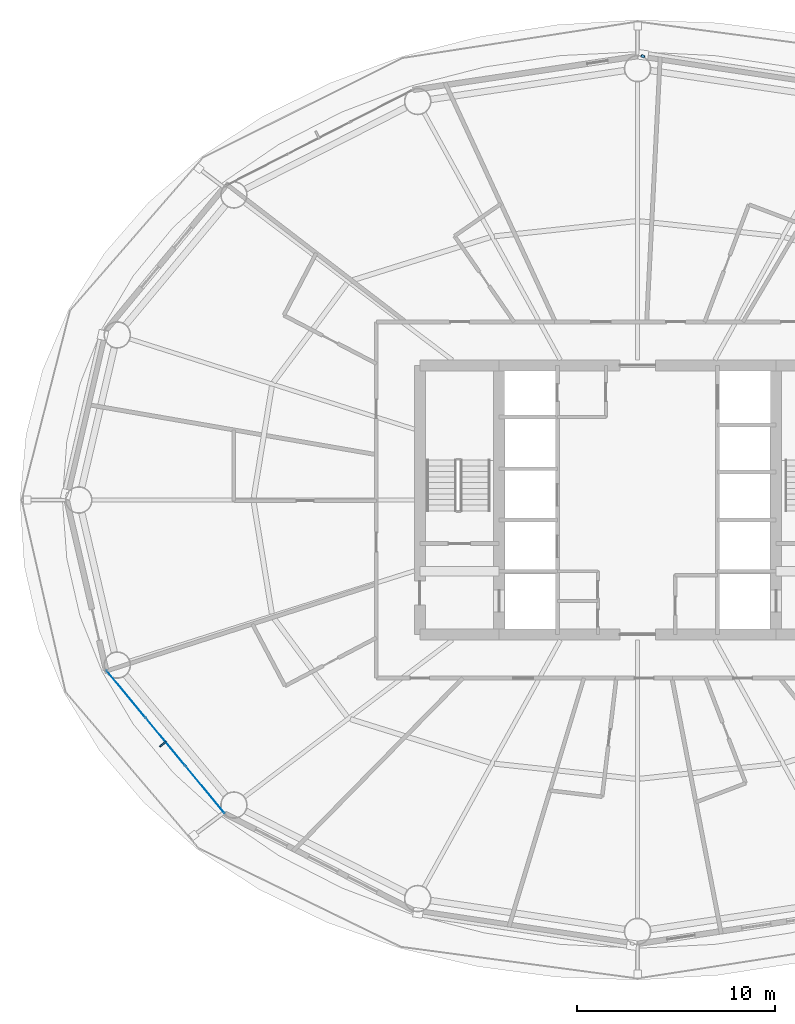
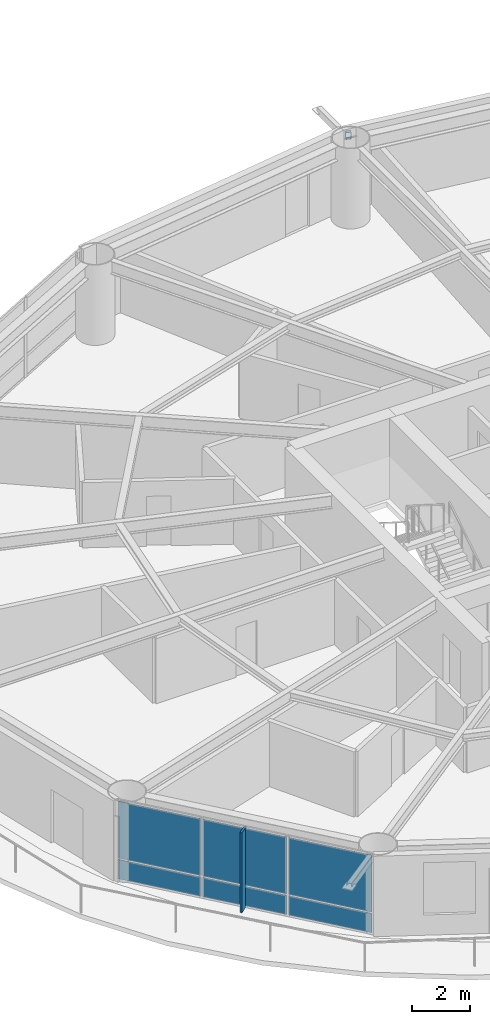
# One storey, part 14 of 24: 7 plates, 1 member, 1 element without a shape of its own.
"""IFC4 building model written with IfcOpenShell, lengths in metres."""

import ifcopenshell
import ifcopenshell.guid

model = None  # the IFC model being written
_history = None  # IfcOwnerHistory: only IFC2X3 demands one
_inside = {}  # id of a spatial element -> (the spatial element, [elements in it])
_under = {}  # id of a project, library or spatial element -> (it, [spatial elements below it])
_declared = {}  # id of a project -> (the project, [libraries it declares])
_typed = {}  # id of a type object -> (the type object, [elements of that type])
_made_of = {}  # id of a material, layer set ... -> (it, [elements and type objects made of it])


def new_model(schema):
    """Start an empty IFC model of exactly this schema.

    Asked for "IFC4X3", IfcOpenShell would pick the latest addendum, in which some entities
    have other attributes; the version numbers below select the first issue.
    IFC2X3 requires an IfcOwnerHistory on every rooted entity: one is made here for all.
    """
    global model, _history
    if schema == "IFC4X3":
        model = ifcopenshell.file(schema_version=(4, 3, 0, 0))
    else:
        model = ifcopenshell.file(schema=schema)
    _inside.clear()
    _under.clear()
    _declared.clear()
    _typed.clear()
    _made_of.clear()
    _history = None
    if model.schema == "IFC2X3":
        org = make("IfcOrganization", Name="unknown")
        user = make(
            "IfcPersonAndOrganization",
            ThePerson=make("IfcPerson", FamilyName="unknown"),
            TheOrganization=org,
        )
        app = make(
            "IfcApplication",
            ApplicationDeveloper=org,
            Version="unknown",
            ApplicationFullName="unknown",
            ApplicationIdentifier="unknown",
        )
        _history = make(
            "IfcOwnerHistory",
            OwningUser=user,
            OwningApplication=app,
            ChangeAction="ADDED",
            CreationDate=0,
        )
    return model


def make(cls, **values):
    """One entity of the class cls with the attributes given. An attribute that is None is left unset."""
    return model.create_entity(
        cls, **{name: value for name, value in values.items() if value is not None}
    )


def rooted(cls, **values):
    """An entity with a GlobalId (a new one), such as an element, a storey or a relation."""
    return make(cls, GlobalId=ifcopenshell.guid.new(), OwnerHistory=_history, **values)


def si_unit(unit_type, name, prefix=None):
    """IfcSIUnit, for example si_unit("LENGTHUNIT", "METRE", prefix="MILLI")."""
    return make("IfcSIUnit", UnitType=unit_type, Prefix=prefix, Name=name)


def assignment(units):
    """IfcUnitAssignment: the units of a project."""
    return None if units is None else make("IfcUnitAssignment", Units=units)


def point(xyz):
    """IfcCartesianPoint."""
    return None if xyz is None else make("IfcCartesianPoint", Coordinates=xyz)


def direction(xyz):
    """IfcDirection."""
    return None if xyz is None else make("IfcDirection", DirectionRatios=xyz)


def frame(location, z_axis=None, x_axis=None):
    """IfcAxis2Placement3D, a coordinate frame: its origin and axes. An axis left out is left unset."""
    return make(
        "IfcAxis2Placement3D",
        Location=point(location),
        Axis=direction(z_axis),
        RefDirection=direction(x_axis),
    )


def frame_2d(location, x_axis=None):
    """IfcAxis2Placement2D, a coordinate frame in the plane: its origin and x axis."""
    return make(
        "IfcAxis2Placement2D", Location=point(location), RefDirection=direction(x_axis)
    )


def origin():
    """The frame at (0, 0, 0) with its axes left unset."""
    return frame((0.0, 0.0, 0.0))


def origin_2d():
    """The frame at (0, 0) in the plane with its x axis left unset."""
    return frame_2d((0.0, 0.0))


def place(relative_to, where):
    """IfcLocalPlacement: puts the frame where relative to a parent placement (None: the world)."""
    return make(
        "IfcLocalPlacement", PlacementRelTo=relative_to, RelativePlacement=where
    )


def context(
    kind, dimensions, precision=None, world=None, true_north=None, identifier=None
):
    """IfcGeometricRepresentationContext, for example the 3D "Model" context."""
    return make(
        "IfcGeometricRepresentationContext",
        ContextIdentifier=identifier,
        ContextType=kind,
        CoordinateSpaceDimension=dimensions,
        Precision=precision,
        WorldCoordinateSystem=world,
        TrueNorth=true_north,
    )


def subcontext(parent, identifier, kind, view, scale=None):
    """IfcGeometricRepresentationSubContext, for example "Body" below "Model"."""
    return make(
        "IfcGeometricRepresentationSubContext",
        ContextIdentifier=identifier,
        ContextType=kind,
        ParentContext=parent,
        TargetScale=scale,
        TargetView=view,
    )


def project(units=None, contexts=None):
    """IfcProject with its units and contexts."""
    return rooted(
        "IfcProject",
        Name="project",
        RepresentationContexts=contexts,
        UnitsInContext=assignment(units),
    )


def spatial(cls, under=None, at=None, **own):
    """A site, building, storey or space (cls), placed at a placement, below another one or the project."""
    s = rooted(cls, ObjectPlacement=at, **own)
    if under is not None:
        _under.setdefault(under.id(), (under, []))[1].append(s)
    return s


def profile(cls, at=None, kind="AREA", **sizes):
    """A parametric profile (cls). Its sizes go by their IFC names, for example OverallWidth=200.0."""
    return make(cls, ProfileType=kind, Position=at, **sizes)


def rectangle(**sizes):
    """IfcRectangleProfileDef."""
    return profile("IfcRectangleProfileDef", **sizes)


def hollow_rectangle(**sizes):
    """IfcRectangleHollowProfileDef."""
    return profile("IfcRectangleHollowProfileDef", **sizes)


def extrude(swept, where, along, depth):
    """IfcExtrudedAreaSolid: the profile swept, set in the frame where, extruded along a direction by depth."""
    return make(
        "IfcExtrudedAreaSolid",
        SweptArea=swept,
        Position=where,
        ExtrudedDirection=direction(along),
        Depth=depth,
    )


def shape(context_of_items, identifier, shape_type, items):
    """IfcShapeRepresentation: the items that make up one representation, for example the "Body"."""
    return make(
        "IfcShapeRepresentation",
        ContextOfItems=context_of_items,
        RepresentationIdentifier=identifier,
        RepresentationType=shape_type,
        Items=items,
    )


def material(Name=None, Category=None):
    """IfcMaterial."""
    return make("IfcMaterial", Name=Name, Category=Category)


def layer(
    of_material, thickness, ventilated=None, Name=None, Category=None, Priority=None
):
    """IfcMaterialLayer: one layer of a wall or slab, of a material (None: an air gap)."""
    return make(
        "IfcMaterialLayer",
        Material=of_material,
        LayerThickness=thickness,
        IsVentilated=ventilated,
        Name=Name,
        Category=Category,
        Priority=Priority,
    )


def layer_set(layers, Name=None):
    """IfcMaterialLayerSet."""
    return make("IfcMaterialLayerSet", MaterialLayers=layers, LayerSetName=Name)


def material_profile(
    of_material, cross_section, Name=None, Category=None, Priority=None
):
    """IfcMaterialProfile: a cross section and its material."""
    return make(
        "IfcMaterialProfile",
        Name=Name,
        Material=of_material,
        Profile=cross_section,
        Priority=Priority,
        Category=Category,
    )


def profile_set(profiles, Name=None, composite=None):
    """IfcMaterialProfileSet."""
    return make(
        "IfcMaterialProfileSet",
        Name=Name,
        MaterialProfiles=profiles,
        CompositeProfile=composite,
    )


def made_of(thing, what):
    """Note that an element or type object is made of a material, layer set ...; save() writes the relation."""
    if what is not None:
        _made_of.setdefault(what.id(), (what, []))[1].append(thing)
    return thing


def type_object(cls, material=None, **own):
    """A type object (cls), such as IfcWallType, which elements share."""
    return made_of(rooted(cls, **own), material)


def element(
    cls,
    number,
    at=None,
    inside=None,
    cuts=None,
    type_object=None,
    material=None,
    context=None,
    identifier="Body",
    shape_type=None,
    held_by="IfcProductDefinitionShape",
    body=None,
    shapes=None,
    **own,
):
    """One element of the class cls, such as IfcWall. Its Tag is "e" and its number.

    at: its placement. inside: the storey or other place that contains it. cuts: it is an
    opening in that element (IfcRelVoidsElement). A single representation is given by context,
    identifier, shape_type and body (its items); several are given by shapes. held_by: the class
    of the entity that holds the representations. save() writes the other relations.
    """
    e = rooted(cls, Tag="e%d" % number, ObjectPlacement=at, **own)
    if body is not None:
        shapes = [shape(context, identifier, shape_type, body)]
    if shapes is not None:
        e.Representation = make(held_by, Representations=shapes)
    if inside is not None:
        _inside.setdefault(inside.id(), (inside, []))[1].append(e)
    if cuts is not None:
        rooted(
            "IfcRelVoidsElement", RelatingBuildingElement=cuts, RelatedOpeningElement=e
        )
    if type_object is not None:
        _typed.setdefault(type_object.id(), (type_object, []))[1].append(e)
    return made_of(e, material)


def aggregate(whole, parts):
    """IfcRelAggregates: a whole, such as a stair, and the parts it consists of."""
    return rooted("IfcRelAggregates", RelatingObject=whole, RelatedObjects=parts)


def save(model, path):
    """Write the relations noted so far, then the file.

    IfcRelAggregates (storeys below a building ...), IfcRelContainedInSpatialStructure (elements
    in a storey), IfcRelDefinesByType, IfcRelAssociatesMaterial and IfcRelDeclares: one each for
    every whole, place, type object, material and project.
    """
    for whole, parts in _under.values():
        aggregate(whole, parts)
    for where, things in _inside.values():
        rooted(
            "IfcRelContainedInSpatialStructure",
            RelatedElements=things,
            RelatingStructure=where,
        )
    for kind, things in _typed.values():
        rooted("IfcRelDefinesByType", RelatedObjects=things, RelatingType=kind)
    for what, things in _made_of.values():
        rooted("IfcRelAssociatesMaterial", RelatedObjects=things, RelatingMaterial=what)
    for by, libraries in _declared.values():
        rooted("IfcRelDeclares", RelatingContext=by, RelatedDefinitions=libraries)
    model.write(path)


model = new_model("IFC4")

# Units and contexts
model_context = context("Model", 3, precision=1e-05, world=origin(), true_north=direction((0.0, 1.0)))
body_context = subcontext(model_context, "Body", "Model", "MODEL_VIEW")
ifc_project = project(units=[si_unit("LENGTHUNIT", "METRE"), si_unit("AREAUNIT", "SQUARE_METRE"), si_unit("VOLUMEUNIT", "CUBIC_METRE"), si_unit("PLANEANGLEUNIT", "RADIAN"), si_unit("MASSUNIT", "GRAM", prefix="KILO")], contexts=[model_context])

# Site, building, storey
site_placement = place(None, origin())
site = spatial("IfcSite", under=ifc_project, at=site_placement, CompositionType="ELEMENT")
building_placement = place(site_placement, origin())
building = spatial("IfcBuilding", under=site, at=building_placement, Name="Sarneth Arch Tower", CompositionType="ELEMENT")
storey_placement = place(building_placement, frame((0.0, 0.0, 91.199951171875)))
storey = spatial("IfcBuildingStorey", under=building, at=storey_placement, Name="L22", CompositionType="ELEMENT", Elevation=91.199951171875)

# Member
ifc_material_1 = material(Name="Steel S355", Category="steel")
ifc_material_profile = material_profile(ifc_material_1, hollow_rectangle(XDim=0.199951171875, YDim=0.300048828125, WallThickness=0.012451171875, InnerFilletRadius=0.018798828125, OuterFilletRadius=0.03125, at=origin_2d()), Name="RHS300x200x12.5")
ifc_profile_set = profile_set([ifc_material_profile], Name="Steel S355")
member_type = type_object("IfcMemberType", Name="MEM-CANT-STRUT", PredefinedType="STRUT", material=ifc_profile_set)
member_placement = place(storey_placement, frame((48.2412109375, 64.357421875, 3.013427734375), z_axis=(0.397509148639, 0.917598210955, 0.0), x_axis=(-0.917598210955, 0.397509148639, 0.0)))
element("IfcMember", 1, at=member_placement, inside=storey, type_object=member_type, Name="L22 Exoskeleton brace node strut 04B", PredefinedType="STRUT", context=body_context, shape_type="SweptSolid", body=[
    extrude(hollow_rectangle(XDim=0.199951171875, YDim=0.300048828125, WallThickness=0.012451171875, InnerFilletRadius=0.018798828125, OuterFilletRadius=0.03125, at=origin_2d()), origin(), (0.0, 0.0, 1.0), 0.139404296875),
])

# Curtain wall, plates
ifc_material_2 = material(Name="Anodised aluminium Type AA25 and solar-control low-e laminated IGU", Category="aluminium")
ifc_layer_1 = layer(ifc_material_2, 0.159912109375)
ifc_layer_set_1 = layer_set([ifc_layer_1], Name="Anodised aluminium Type AA25 and solar-control low-e laminated IGU")
curtain_wall_type = type_object("IfcCurtainWallType", Name="CW-HOTEL-MID", PredefinedType="NOTDEFINED", material=ifc_layer_set_1)
curtain_wall_placement = place(storey_placement, origin())
curtain_wall = element("IfcCurtainWall", 2, at=curtain_wall_placement, inside=storey, type_object=curtain_wall_type, Name="L22 Unitised curtain wall facet 10", PredefinedType="NOTDEFINED")
ifc_material_3 = material(Name="Solar-control low-e laminated IGU", Category="glass")
ifc_layer_2 = layer(ifc_material_3, 0.028076171875)
ifc_layer_set_2 = layer_set([ifc_layer_2], Name="Solar-control low-e laminated IGU")
plate_type_1 = type_object("IfcPlateType", Name="CW-PANEL", PredefinedType="CURTAIN_PANEL", material=ifc_layer_set_2)
plate_1_placement = place(storey_placement, frame((22.15185546875, 32.192138671875, 0.06005859375), z_axis=(0.0, 0.0, 1.0), x_axis=(0.637515188684, -0.770437787363, 0.0)))
plate_1 = element("IfcPlate", 3, at=plate_1_placement, type_object=plate_type_1, Name="Curtain wall glazed vision pane CW-L22-F10/P00-00", PredefinedType="CURTAIN_PANEL", context=body_context, shape_type="SweptSolid", body=[
    extrude(rectangle(XDim=3.058349609375, YDim=0.028076171875, at=origin_2d()), origin(), (0.0, 0.0, 1.0), 0.81005859375),
])
plate_2_placement = place(storey_placement, frame((22.15185546875, 32.192138671875, 0.93017578125), z_axis=(0.0, 0.0, 1.0), x_axis=(0.637515188684, -0.770437787363, 0.0)))
plate_2 = element("IfcPlate", 4, at=plate_2_placement, type_object=plate_type_1, Name="Curtain wall glazed vision pane CW-L22-F10/P00-01", PredefinedType="CURTAIN_PANEL", context=body_context, shape_type="SweptSolid", body=[
    extrude(rectangle(XDim=3.058349609375, YDim=0.028076171875, at=origin_2d()), origin(), (0.0, 0.0, 1.0), 2.389892578125),
])
plate_3_placement = place(storey_placement, frame((24.1494140625, 29.778076171875, 0.06005859375), z_axis=(0.0, 0.0, 1.0), x_axis=(0.637515188684, -0.770437787363, 0.0)))
plate_3 = element("IfcPlate", 5, at=plate_3_placement, type_object=plate_type_1, Name="Curtain wall glazed vision pane CW-L22-F10/P01-00", PredefinedType="CURTAIN_PANEL", context=body_context, shape_type="SweptSolid", body=[
    extrude(rectangle(XDim=3.08837890625, YDim=0.028076171875, at=origin_2d()), origin(), (0.0, 0.0, 1.0), 0.81005859375),
])
plate_4_placement = place(storey_placement, frame((24.1494140625, 29.778076171875, 0.93017578125), z_axis=(0.0, 0.0, 1.0), x_axis=(0.637515188684, -0.770437787363, 0.0)))
plate_4 = element("IfcPlate", 6, at=plate_4_placement, type_object=plate_type_1, Name="Curtain wall glazed vision pane CW-L22-F10/P01-01", PredefinedType="CURTAIN_PANEL", context=body_context, shape_type="SweptSolid", body=[
    extrude(rectangle(XDim=3.08837890625, YDim=0.028076171875, at=origin_2d()), origin(), (0.0, 0.0, 1.0), 2.389892578125),
])
plate_5_placement = place(storey_placement, frame((26.14697265625, 27.364013671875, 0.06005859375), z_axis=(0.0, 0.0, 1.0), x_axis=(0.637515188684, -0.770437787363, 0.0)))
plate_5 = element("IfcPlate", 7, at=plate_5_placement, type_object=plate_type_1, Name="Curtain wall glazed vision pane CW-L22-F10/P02-00", PredefinedType="CURTAIN_PANEL", context=body_context, shape_type="SweptSolid", body=[
    extrude(rectangle(XDim=3.058349609375, YDim=0.028076171875, at=origin_2d()), origin(), (0.0, 0.0, 1.0), 0.81005859375),
])
plate_6_placement = place(storey_placement, frame((26.14697265625, 27.364013671875, 0.93017578125), z_axis=(0.0, 0.0, 1.0), x_axis=(0.637515188684, -0.770437787363, 0.0)))
plate_6 = element("IfcPlate", 8, at=plate_6_placement, type_object=plate_type_1, Name="Curtain wall glazed vision pane CW-L22-F10/P02-01", PredefinedType="CURTAIN_PANEL", context=body_context, shape_type="SweptSolid", body=[
    extrude(rectangle(XDim=3.058349609375, YDim=0.028076171875, at=origin_2d()), origin(), (0.0, 0.0, 1.0), 2.389892578125),
])
aggregate(curtain_wall, [plate_1, plate_2, plate_3, plate_4, plate_5, plate_6])

# Plate
ifc_material_4 = material(Name="Extruded glazed terracotta baguette fin on Aluminium 6063-T6 carrier", Category="masonry")
ifc_layer_3 = layer(ifc_material_4, 0.080078125)
ifc_layer_set_3 = layer_set([ifc_layer_3], Name="Extruded glazed terracotta baguette fin on Aluminium 6063-T6 carrier")
plate_type_2 = type_object("IfcPlateType", Name="SHADE-TERRA-FIN", PredefinedType="SHEET", material=ifc_layer_set_3)
plate_7_placement = place(storey_placement, frame((24.018310546875, 29.669677734375, 0.009765625), z_axis=(0.0, 0.0, 1.0), x_axis=(-0.770401979567, -0.63755845997, 0.0)))
element("IfcPlate", 9, at=plate_7_placement, inside=storey, type_object=plate_type_2, Name="L22 Terracotta vertical shading fin 10", PredefinedType="SHEET", context=body_context, shape_type="SweptSolid", body=[
    extrude(rectangle(XDim=0.419921875, YDim=0.080078125, at=origin_2d()), origin(), (0.0, 0.0, 1.0), 3.360107421875),
])

save(model, "model.ifc")
